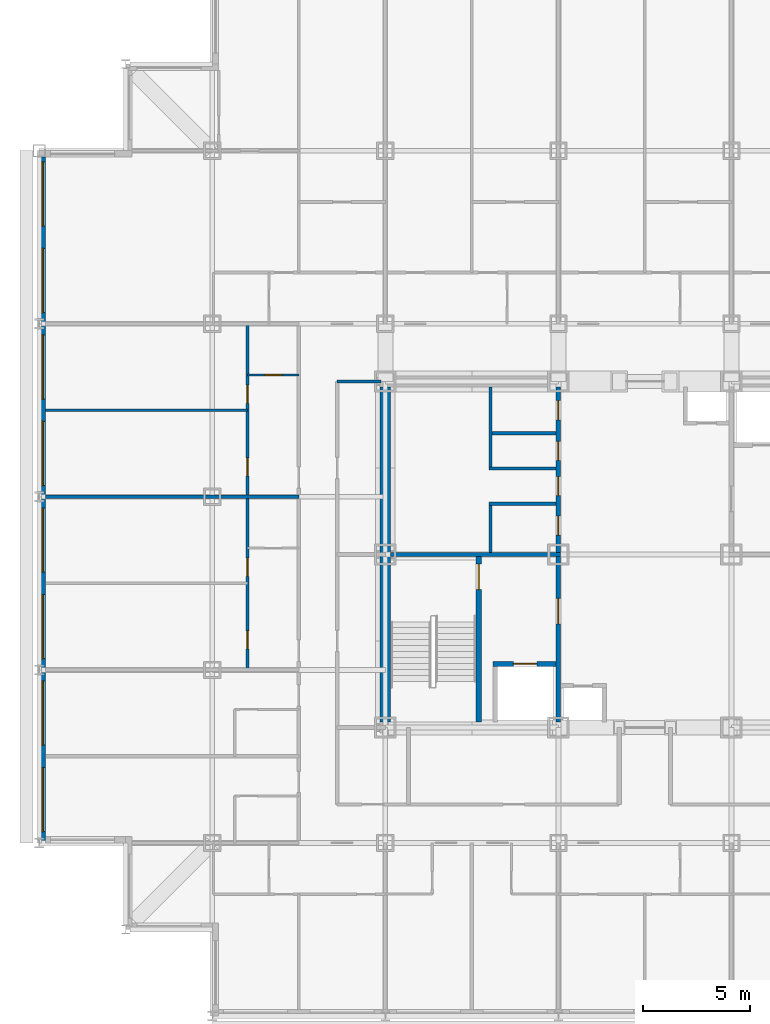
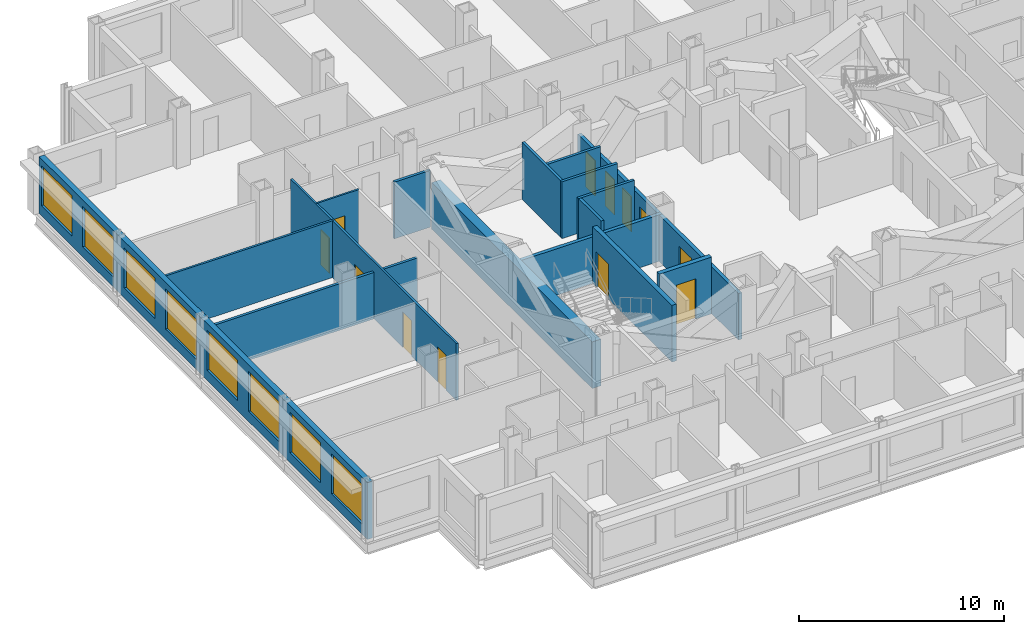
# One storey, part 6 of 12: 17 walls, 12 doors, 8 windows, 20 openings.
"""IFC4 building model written with IfcOpenShell, lengths in metres."""

from ifc_helpers import new_model, si_unit, direction, frame, frame_2d, origin, place, context, subcontext, project, spatial, rectangle, extrude, material, layer, layer_set, type_object, element, fill, save


model = new_model("IFC4")

# Units and contexts
model_context = context("Model", 3, precision=1e-05, world=origin(), true_north=direction((0.0, 1.0)))
body_context = subcontext(model_context, "Body", "Model", "MODEL_VIEW")
ifc_project = project(units=[si_unit("LENGTHUNIT", "METRE"), si_unit("AREAUNIT", "SQUARE_METRE"), si_unit("VOLUMEUNIT", "CUBIC_METRE"), si_unit("PLANEANGLEUNIT", "RADIAN"), si_unit("MASSUNIT", "GRAM", prefix="KILO")], contexts=[model_context])

# Site, building, storey
site_placement = place(None, origin())
site = spatial("IfcSite", under=ifc_project, at=site_placement, CompositionType="ELEMENT")
building_placement = place(site_placement, origin())
building = spatial("IfcBuilding", under=site, at=building_placement, Name="Kopane Lantern Tower", CompositionType="ELEMENT")
storey_placement = place(building_placement, frame((0.0, 0.0, 174.0)))
storey = spatial("IfcBuildingStorey", under=building, at=storey_placement, Name="L44", CompositionType="ELEMENT", Elevation=174.0)

# Wall, openings, doors
ifc_material_1 = material(Name="Gypsum board on steel studs", Category="steel")
ifc_layer_1 = layer(ifc_material_1, 0.1201171875)
ifc_layer_set_1 = layer_set([ifc_layer_1], Name="APARTMENT INTERNAL WALL 120")
wall_type_1 = type_object("IfcWallType", Name="APARTMENT INTERNAL WALL 120", PredefinedType="PARTITIONING", material=ifc_layer_set_1)
wall_1_placement = place(storey_placement, frame((9.75, 27.0, 0.0), z_axis=(0.0, 0.0, 1.0), x_axis=(0.0, 1.0, 0.0)))
wall_1 = element("IfcWall", 1, at=wall_1_placement, inside=storey, type_object=wall_type_1, Name="Apartment Internal Wall 120 L44", PredefinedType="PARTITIONING", context=body_context, shape_type="SweptSolid", body=[
    extrude(rectangle(XDim=16.199951171875, YDim=0.1201171875, at=frame_2d((8.10009765625, 0.0))), origin(), (0.0, 0.0, 1.0), 3.389892578125),
])
opening_1_placement = place(wall_1_placement, frame((0.97509765625, 0.0, 0.0)))
opening_1 = element("IfcOpeningElement", 2, at=opening_1_placement, cuts=wall_1, Name="Opening L44-038", PredefinedType="OPENING", context=body_context, shape_type="SweptSolid", body=[
    extrude(rectangle(XDim=0.85009765625, YDim=2.10009765625, at=frame_2d((0.425048828125, 1.050048828125))), frame((0.0, 0.070068359375, 0.0), z_axis=(0.0, -1.0, 0.0), x_axis=(1.0, 0.0, 0.0)), (0.0, 0.0, 1.0), 0.14013671875),
])
opening_2_placement = place(wall_1_placement, frame((4.375, 0.0, 0.0)))
opening_2 = element("IfcOpeningElement", 3, at=opening_2_placement, cuts=wall_1, Name="Opening L44-039", PredefinedType="OPENING", context=body_context, shape_type="SweptSolid", body=[
    extrude(rectangle(XDim=0.85009765625, YDim=2.10009765625, at=frame_2d((0.425048828125, 1.050048828125))), frame((0.0, 0.070068359375, 0.0), z_axis=(0.0, -1.0, 0.0), x_axis=(1.0, 0.0, 0.0)), (0.0, 0.0, 1.0), 0.14013671875),
])
opening_3_placement = place(wall_1_placement, frame((9.074951171875, 0.0, 0.0)))
opening_3 = element("IfcOpeningElement", 4, at=opening_3_placement, cuts=wall_1, Name="Opening L44-042", PredefinedType="OPENING", context=body_context, shape_type="SweptSolid", body=[
    extrude(rectangle(XDim=0.85009765625, YDim=2.10009765625, at=frame_2d((0.425048828125, 1.050048828125))), frame((0.0, 0.070068359375, 0.0), z_axis=(0.0, -1.0, 0.0), x_axis=(1.0, 0.0, 0.0)), (0.0, 0.0, 1.0), 0.14013671875),
])
opening_4_placement = place(wall_1_placement, frame((12.47509765625, 0.0, 0.0)))
opening_4 = element("IfcOpeningElement", 5, at=opening_4_placement, cuts=wall_1, Name="Opening L44-043", PredefinedType="OPENING", context=body_context, shape_type="SweptSolid", body=[
    extrude(rectangle(XDim=0.85009765625, YDim=2.10009765625, at=frame_2d((0.425048828125, 1.050048828125))), frame((0.0, 0.070068359375, 0.0), z_axis=(0.0, -1.0, 0.0), x_axis=(1.0, 0.0, 0.0)), (0.0, 0.0, 1.0), 0.14013671875),
])
ifc_material_2 = material(Name="Timber door set", Category="wood")
door_type_1 = type_object("IfcDoorType", Name="DOOR D4 850x2100", OperationType="SINGLE_SWING_LEFT", PredefinedType="DOOR", material=ifc_material_2)
door_1_placement = place(opening_1_placement, origin())
door_1 = element("IfcDoor", 6, at=door_1_placement, inside=storey, type_object=door_type_1, Name="Door L44-038", OperationType="SINGLE_SWING_RIGHT", OverallHeight=2.10009765625, OverallWidth=0.85009765625, PredefinedType="DOOR", context=body_context, shape_type="SweptSolid", body=[
    extrude(rectangle(XDim=0.85009765625, YDim=2.10009765625, at=frame_2d((0.425048828125, 1.050048828125))), frame((0.0, 0.02490234375, 0.0), z_axis=(0.0, -1.0, 0.0), x_axis=(1.0, 0.0, 0.0)), (0.0, 0.0, 1.0), 0.050048828125),
])
fill(opening_1, door_1)
door_2_placement = place(opening_2_placement, origin())
door_2 = element("IfcDoor", 7, at=door_2_placement, inside=storey, type_object=door_type_1, Name="Door L44-039", OperationType="SINGLE_SWING_LEFT", OverallHeight=2.10009765625, OverallWidth=0.85009765625, PredefinedType="DOOR", context=body_context, shape_type="SweptSolid", body=[
    extrude(rectangle(XDim=0.85009765625, YDim=2.10009765625, at=frame_2d((0.425048828125, 1.050048828125))), frame((0.0, 0.02490234375, 0.0), z_axis=(0.0, -1.0, 0.0), x_axis=(1.0, 0.0, 0.0)), (0.0, 0.0, 1.0), 0.050048828125),
])
fill(opening_2, door_2)
door_3_placement = place(opening_3_placement, origin())
door_3 = element("IfcDoor", 8, at=door_3_placement, inside=storey, type_object=door_type_1, Name="Door L44-042", OperationType="SINGLE_SWING_RIGHT", OverallHeight=2.10009765625, OverallWidth=0.85009765625, PredefinedType="DOOR", context=body_context, shape_type="SweptSolid", body=[
    extrude(rectangle(XDim=0.85009765625, YDim=2.10009765625, at=frame_2d((0.425048828125, 1.050048828125))), frame((0.0, 0.02490234375, 0.0), z_axis=(0.0, -1.0, 0.0), x_axis=(1.0, 0.0, 0.0)), (0.0, 0.0, 1.0), 0.050048828125),
])
fill(opening_3, door_3)
door_4_placement = place(opening_4_placement, origin())
door_4 = element("IfcDoor", 9, at=door_4_placement, inside=storey, type_object=door_type_1, Name="Door L44-043", OperationType="SINGLE_SWING_LEFT", OverallHeight=2.10009765625, OverallWidth=0.85009765625, PredefinedType="DOOR", context=body_context, shape_type="SweptSolid", body=[
    extrude(rectangle(XDim=0.85009765625, YDim=2.10009765625, at=frame_2d((0.425048828125, 1.050048828125))), frame((0.0, 0.02490234375, 0.0), z_axis=(0.0, -1.0, 0.0), x_axis=(1.0, 0.0, 0.0)), (0.0, 0.0, 1.0), 0.050048828125),
])
fill(opening_4, door_4)

# Wall
wall_2_placement = place(storey_placement, frame((9.75, 39.14990234375, 0.0), z_axis=(0.0, 0.0, 1.0), x_axis=(-1.0, 0.0, 0.0)))
element("IfcWall", 10, at=wall_2_placement, inside=storey, type_object=wall_type_1, Name="Apartment Internal Wall 120 L44", PredefinedType="PARTITIONING", context=body_context, shape_type="SweptSolid", body=[
    extrude(rectangle(XDim=9.449951171875, YDim=0.1201171875, at=frame_2d((4.72509765625, 0.0))), origin(), (0.0, 0.0, 1.0), 3.389892578125),
])

# Wall, opening, door
ifc_material_3 = material(Name="Moisture-resistant board on steel studs", Category="steel")
ifc_layer_2 = layer(ifc_material_3, 0.10009765625)
ifc_layer_set_2 = layer_set([ifc_layer_2], Name="BATHROOM WALL 100")
wall_type_2 = type_object("IfcWallType", Name="BATHROOM WALL 100", PredefinedType="PARTITIONING", material=ifc_layer_set_2)
wall_3_placement = place(storey_placement, frame((12.14990234375, 40.800048828125, 0.0), z_axis=(0.0, 0.0, 1.0), x_axis=(-1.0, 0.0, 0.0)))
wall_3 = element("IfcWall", 11, at=wall_3_placement, inside=storey, type_object=wall_type_2, Name="Bathroom Wall 100 L44", PredefinedType="PARTITIONING", context=body_context, shape_type="SweptSolid", body=[
    extrude(rectangle(XDim=2.39990234375, YDim=0.10009765625, at=frame_2d((1.199951171875, 0.0))), origin(), (0.0, 0.0, 1.0), 3.389892578125),
])
opening_5_placement = place(wall_3_placement, frame((0.800048828125, 0.0, 0.0)))
opening_5 = element("IfcOpeningElement", 12, at=opening_5_placement, cuts=wall_3, Name="Opening L44-040", PredefinedType="OPENING", context=body_context, shape_type="SweptSolid", body=[
    extrude(rectangle(XDim=0.800048828125, YDim=2.10009765625, at=frame_2d((0.39990234375, 1.050048828125))), frame((0.0, 0.06005859375, 0.0), z_axis=(0.0, -1.0, 0.0), x_axis=(1.0, 0.0, 0.0)), (0.0, 0.0, 1.0), 0.1201171875),
])
ifc_material_4 = material(Name="Timber door set", Category="wood")
door_type_2 = type_object("IfcDoorType", Name="DOOR D2 800x2100", OperationType="SINGLE_SWING_LEFT", PredefinedType="DOOR", material=ifc_material_4)
door_5_placement = place(opening_5_placement, origin())
door_5 = element("IfcDoor", 13, at=door_5_placement, inside=storey, type_object=door_type_2, Name="Door L44-040", OperationType="SINGLE_SWING_RIGHT", OverallHeight=2.10009765625, OverallWidth=0.800048828125, PredefinedType="DOOR", context=body_context, shape_type="SweptSolid", body=[
    extrude(rectangle(XDim=0.800048828125, YDim=2.10009765625, at=frame_2d((0.39990234375, 1.050048828125))), frame((0.0, 0.02490234375, 0.0), z_axis=(0.0, -1.0, 0.0), x_axis=(1.0, 0.0, 0.0)), (0.0, 0.0, 1.0), 0.050048828125),
])
fill(opening_5, door_5)

# Walls
ifc_material_5 = material(Name="Gypsum shaft wall EI 120", Category="gypsum")
ifc_layer_3 = layer(ifc_material_5, 0.5)
ifc_layer_set_3 = layer_set([ifc_layer_3], Name="CORE PERIMETER WALL 500 EI 120")
wall_type_3 = type_object("IfcWallType", Name="CORE PERIMETER WALL 500 EI 120", PredefinedType="SOLIDWALL", material=ifc_layer_set_3)
wall_4_placement = place(storey_placement, frame((16.199951171875, 24.550048828125, 0.0), z_axis=(0.0, 0.0, 1.0), x_axis=(0.0, 1.0, 0.0)))
element("IfcWall", 14, at=wall_4_placement, inside=storey, type_object=wall_type_3, Name="Core shaft wall L44 PW", PredefinedType="SOLIDWALL", context=body_context, shape_type="SweptSolid", body=[
    extrude(rectangle(XDim=15.699951171875, YDim=0.5, at=frame_2d((7.85009765625, 0.0))), origin(), (0.0, 0.0, 1.0), 2.77783203125),
])
ifc_material_6 = material(Name="Gypsum partition EI 60", Category="gypsum")
ifc_layer_4 = layer(ifc_material_6, 0.14990234375)
ifc_layer_set_4 = layer_set([ifc_layer_4], Name="CORE ROOM PARTITION 150 EI 60")
wall_type_4 = type_object("IfcWallType", Name="CORE ROOM PARTITION 150 EI 60", PredefinedType="PARTITIONING", material=ifc_layer_set_4)
for number, where, z_axis, x_axis, name in (
    (15, (21.050048828125, 34.77490234375, 0.0), (0.0, 0.0, 1.0), (1.0, 0.0, 0.0), "Core room partition L44 WW1"),
    (16, (21.050048828125, 36.425048828125, 0.0), (0.0, 0.0, 1.0), (1.0, 0.0, 0.0), "Core room partition L44 WW2"),
):
    element("IfcWall", number, at=place(storey_placement, frame(where, z_axis=z_axis, x_axis=x_axis)), inside=storey, type_object=wall_type_4, Name=name, PredefinedType="PARTITIONING", context=body_context, shape_type="SweptSolid", body=[
        extrude(rectangle(XDim=3.14990234375, YDim=0.14990234375, at=frame_2d((1.574951171875, 0.0))), origin(), (0.0, 0.0, 1.0), 3.389892578125),
    ])
wall_5_placement = place(storey_placement, frame((21.199951171875, 38.074951171875, 0.0), z_axis=(0.0, 0.0, 1.0), x_axis=(1.0, 0.0, 0.0)))
element("IfcWall", 17, at=wall_5_placement, inside=storey, type_object=wall_type_4, Name="Core room partition L44 WW3", PredefinedType="PARTITIONING", context=body_context, shape_type="SweptSolid", body=[
    extrude(rectangle(XDim=3.0, YDim=0.14990234375, at=frame_2d((1.5, 0.0))), origin(), (0.0, 0.0, 1.0), 3.389892578125),
])
wall_6_placement = place(storey_placement, frame((21.125, 32.5, 0.0), z_axis=(0.0, 0.0, 1.0), x_axis=(0.0, 1.0, 0.0)))
element("IfcWall", 18, at=wall_6_placement, inside=storey, type_object=wall_type_4, Name="Core room partition L44 WWB0", PredefinedType="PARTITIONING", context=body_context, shape_type="SweptSolid", body=[
    extrude(rectangle(XDim=2.199951171875, YDim=0.14990234375, at=frame_2d((1.10009765625, 0.0))), origin(), (0.0, 0.0, 1.0), 3.389892578125),
])
wall_7_placement = place(storey_placement, frame((21.125, 36.5, 0.0), z_axis=(0.0, 0.0, 1.0), x_axis=(0.0, 1.0, 0.0)))
element("IfcWall", 19, at=wall_7_placement, inside=storey, type_object=wall_type_4, Name="Core room partition L44 WWB1", PredefinedType="PARTITIONING", context=body_context, shape_type="SweptSolid", body=[
    extrude(rectangle(XDim=3.75, YDim=0.14990234375, at=frame_2d((1.875, 0.0))), origin(), (0.0, 0.0, 1.0), 3.389892578125),
])

# Wall, openings, doors
ifc_material_7 = material(Name="Gypsum partition EI 60", Category="gypsum")
ifc_layer_5 = layer(ifc_material_7, 0.199951171875)
ifc_layer_set_5 = layer_set([ifc_layer_5], Name="CORE ROOM WALL 200 EI 60")
wall_type_5 = type_object("IfcWallType", Name="CORE ROOM WALL 200 EI 60", PredefinedType="PARTITIONING", material=ifc_layer_set_5)
wall_8_placement = place(storey_placement, frame((24.300048828125, 32.5, 0.0), z_axis=(0.0, 0.0, 1.0), x_axis=(0.0, 1.0, 0.0)))
wall_8 = element("IfcWall", 20, at=wall_8_placement, inside=storey, type_object=wall_type_5, Name="Core room wall L44 XW", PredefinedType="PARTITIONING", context=body_context, shape_type="SweptSolid", body=[
    extrude(rectangle(XDim=7.75, YDim=0.199951171875, at=frame_2d((3.875, 0.0))), origin(), (0.0, 0.0, 1.0), 2.77783203125),
])
opening_6_placement = place(wall_8_placement, frame((0.800048828125, 0.0, 0.0)))
opening_6 = element("IfcOpeningElement", 21, at=opening_6_placement, cuts=wall_8, Name="Opening 44.C30", PredefinedType="OPENING", context=body_context, shape_type="SweptSolid", body=[
    extrude(rectangle(XDim=0.89990234375, YDim=2.10009765625, at=frame_2d((0.449951171875, 1.050048828125))), frame((0.0, 0.10986328125, 0.0), z_axis=(0.0, -1.0, 0.0), x_axis=(1.0, 0.0, 0.0)), (0.0, 0.0, 1.0), 0.219970703125),
])
opening_7_placement = place(wall_8_placement, frame((2.64990234375, 0.0, 0.0)))
opening_7 = element("IfcOpeningElement", 22, at=opening_7_placement, cuts=wall_8, Name="Opening 44.C31", PredefinedType="OPENING", context=body_context, shape_type="SweptSolid", body=[
    extrude(rectangle(XDim=0.89990234375, YDim=2.10009765625, at=frame_2d((0.449951171875, 1.050048828125))), frame((0.0, 0.10986328125, 0.0), z_axis=(0.0, -1.0, 0.0), x_axis=(1.0, 0.0, 0.0)), (0.0, 0.0, 1.0), 0.219970703125),
])
opening_8_placement = place(wall_8_placement, frame((4.300048828125, 0.0, 0.0)))
opening_8 = element("IfcOpeningElement", 23, at=opening_8_placement, cuts=wall_8, Name="Opening 44.C32", PredefinedType="OPENING", context=body_context, shape_type="SweptSolid", body=[
    extrude(rectangle(XDim=0.89990234375, YDim=2.10009765625, at=frame_2d((0.449951171875, 1.050048828125))), frame((0.0, 0.10986328125, 0.0), z_axis=(0.0, -1.0, 0.0), x_axis=(1.0, 0.0, 0.0)), (0.0, 0.0, 1.0), 0.219970703125),
])
opening_9_placement = place(wall_8_placement, frame((6.199951171875, 0.0, 0.0)))
opening_9 = element("IfcOpeningElement", 24, at=opening_9_placement, cuts=wall_8, Name="Opening 44.C33", PredefinedType="OPENING", context=body_context, shape_type="SweptSolid", body=[
    extrude(rectangle(XDim=0.89990234375, YDim=2.10009765625, at=frame_2d((0.449951171875, 1.050048828125))), frame((0.0, 0.10986328125, 0.0), z_axis=(0.0, -1.0, 0.0), x_axis=(1.0, 0.0, 0.0)), (0.0, 0.0, 1.0), 0.219970703125),
])
ifc_material_8 = material(Name="Steel door set", Category="steel")
door_type_3 = type_object("IfcDoorType", Name="CORE ROOM DOOR 900x2100 FD60", OperationType="SINGLE_SWING_LEFT", PredefinedType="DOOR", material=ifc_material_8)
door_6_placement = place(opening_6_placement, origin())
door_6 = element("IfcDoor", 25, at=door_6_placement, inside=storey, type_object=door_type_3, Name="Door Refuse room L44", OperationType="SINGLE_SWING_RIGHT", OverallHeight=2.10009765625, OverallWidth=0.89990234375, PredefinedType="DOOR", context=body_context, shape_type="SweptSolid", body=[
    extrude(rectangle(XDim=0.89990234375, YDim=2.10009765625, at=frame_2d((0.449951171875, 1.050048828125))), frame((0.0, 0.02490234375, 0.0), z_axis=(0.0, -1.0, 0.0), x_axis=(1.0, 0.0, 0.0)), (0.0, 0.0, 1.0), 0.050048828125),
])
fill(opening_6, door_6)
door_7_placement = place(opening_7_placement, origin())
door_7 = element("IfcDoor", 26, at=door_7_placement, inside=storey, type_object=door_type_3, Name="Door Residents storage L44", OperationType="SINGLE_SWING_RIGHT", OverallHeight=2.10009765625, OverallWidth=0.89990234375, PredefinedType="DOOR", context=body_context, shape_type="SweptSolid", body=[
    extrude(rectangle(XDim=0.89990234375, YDim=2.10009765625, at=frame_2d((0.449951171875, 1.050048828125))), frame((0.0, 0.02490234375, 0.0), z_axis=(0.0, -1.0, 0.0), x_axis=(1.0, 0.0, 0.0)), (0.0, 0.0, 1.0), 0.050048828125),
])
fill(opening_7, door_7)
door_8_placement = place(opening_8_placement, origin())
door_8 = element("IfcDoor", 27, at=door_8_placement, inside=storey, type_object=door_type_3, Name="Door Cleaner store L44", OperationType="SINGLE_SWING_LEFT", OverallHeight=2.10009765625, OverallWidth=0.89990234375, PredefinedType="DOOR", context=body_context, shape_type="SweptSolid", body=[
    extrude(rectangle(XDim=0.89990234375, YDim=2.10009765625, at=frame_2d((0.449951171875, 1.050048828125))), frame((0.0, 0.02490234375, 0.0), z_axis=(0.0, -1.0, 0.0), x_axis=(1.0, 0.0, 0.0)), (0.0, 0.0, 1.0), 0.050048828125),
])
fill(opening_8, door_8)
door_9_placement = place(opening_9_placement, origin())
door_9 = element("IfcDoor", 28, at=door_9_placement, inside=storey, type_object=door_type_3, Name="Door IT room L44", OperationType="SINGLE_SWING_LEFT", OverallHeight=2.10009765625, OverallWidth=0.89990234375, PredefinedType="DOOR", context=body_context, shape_type="SweptSolid", body=[
    extrude(rectangle(XDim=0.89990234375, YDim=2.10009765625, at=frame_2d((0.449951171875, 1.050048828125))), frame((0.0, 0.02490234375, 0.0), z_axis=(0.0, -1.0, 0.0), x_axis=(1.0, 0.0, 0.0)), (0.0, 0.0, 1.0), 0.050048828125),
])
fill(opening_9, door_9)

# Wall, opening, door
ifc_material_9 = material(Name="Gypsum shaft wall EI 120", Category="gypsum")
ifc_layer_6 = layer(ifc_material_9, 0.25)
ifc_layer_set_6 = layer_set([ifc_layer_6], Name="CORE SHAFT WALL 250 EI 120")
wall_type_6 = type_object("IfcWallType", Name="CORE SHAFT WALL 250 EI 120", PredefinedType="SOLIDWALL", material=ifc_layer_set_6)
wall_9_placement = place(storey_placement, frame((20.574951171875, 24.550048828125, 0.0), z_axis=(0.0, 0.0, 1.0), x_axis=(0.0, 1.0, 0.0)))
wall_9 = element("IfcWall", 29, at=wall_9_placement, inside=storey, type_object=wall_type_6, Name="Core shaft wall L44 XST1", PredefinedType="SOLIDWALL", context=body_context, shape_type="SweptSolid", body=[
    extrude(rectangle(XDim=7.75, YDim=0.25, at=frame_2d((3.875, 0.0))), origin(), (0.0, 0.0, 1.0), 3.389892578125),
])
opening_10_placement = place(wall_9_placement, frame((6.199951171875, 0.0, 0.0)))
opening_10 = element("IfcOpeningElement", 30, at=opening_10_placement, cuts=wall_9, Name="Opening 44.SD1", PredefinedType="OPENING", context=body_context, shape_type="SweptSolid", body=[
    extrude(rectangle(XDim=1.199951171875, YDim=2.10009765625, at=frame_2d((0.60009765625, 1.050048828125))), frame((0.0, 0.135009765625, 0.0), z_axis=(0.0, -1.0, 0.0), x_axis=(1.0, 0.0, 0.0)), (0.0, 0.0, 1.0), 0.27001953125),
])
ifc_material_10 = material(Name="Steel door set", Category="steel")
door_type_4 = type_object("IfcDoorType", Name="STAIR DOOR 1200x2100 FD60S", OperationType="SINGLE_SWING_LEFT", PredefinedType="DOOR", material=ifc_material_10)
door_10_placement = place(opening_10_placement, origin())
door_10 = element("IfcDoor", 31, at=door_10_placement, inside=storey, type_object=door_type_4, Name="Stair door ST1 L44", OperationType="SINGLE_SWING_LEFT", OverallHeight=2.10009765625, OverallWidth=1.199951171875, PredefinedType="DOOR", context=body_context, shape_type="SweptSolid", body=[
    extrude(rectangle(XDim=1.199951171875, YDim=2.10009765625, at=frame_2d((0.60009765625, 1.050048828125))), frame((0.0, 0.02490234375, 0.0), z_axis=(0.0, -1.0, 0.0), x_axis=(1.0, 0.0, 0.0)), (0.0, 0.0, 1.0), 0.050048828125),
])
fill(opening_10, door_10)

wall_10_placement = place(storey_placement, frame((21.25, 27.27490234375, 0.0), z_axis=(0.0, 0.0, 1.0), x_axis=(1.0, 0.0, 0.0)))
wall_10 = element("IfcWall", 32, at=wall_10_placement, inside=storey, type_object=wall_type_6, Name="Core shaft wall L44 YLF1", PredefinedType="SOLIDWALL", context=body_context, shape_type="SweptSolid", body=[
    extrude(rectangle(XDim=2.949951171875, YDim=0.25, at=frame_2d((1.47509765625, 0.0))), origin(), (0.0, 0.0, 1.0), 3.389892578125),
])
opening_11_placement = place(wall_10_placement, frame((0.949951171875, 0.0, 0.0)))
opening_11 = element("IfcOpeningElement", 33, at=opening_11_placement, cuts=wall_10, Name="Opening 44.LD-LF1", PredefinedType="OPENING", context=body_context, shape_type="SweptSolid", body=[
    extrude(rectangle(XDim=1.10009765625, YDim=2.39990234375, at=frame_2d((0.550048828125, 1.199951171875))), frame((0.0, 0.135009765625, 0.0), z_axis=(0.0, -1.0, 0.0), x_axis=(1.0, 0.0, 0.0)), (0.0, 0.0, 1.0), 0.27001953125),
])
ifc_material_11 = material(Name="Steel door set", Category="steel")
door_type_5 = type_object("IfcDoorType", Name="LIFT LANDING DOOR 1100x2400 FD60", OperationType="DOUBLE_DOOR_SLIDING", PredefinedType="DOOR", material=ifc_material_11)
door_11_placement = place(opening_11_placement, origin())
door_11 = element("IfcDoor", 34, at=door_11_placement, inside=storey, type_object=door_type_5, Name="Landing door LF1 L44", OperationType="DOUBLE_DOOR_SLIDING", OverallHeight=2.39990234375, OverallWidth=1.10009765625, PredefinedType="DOOR", context=body_context, shape_type="SweptSolid", body=[
    extrude(rectangle(XDim=1.10009765625, YDim=2.39990234375, at=frame_2d((0.550048828125, 1.199951171875))), frame((0.0, 0.02490234375, 0.0), z_axis=(0.0, -1.0, 0.0), x_axis=(1.0, 0.0, 0.0)), (0.0, 0.0, 1.0), 0.050048828125),
])
fill(opening_11, door_11)

# Walls
ifc_material_12 = material(Name="Gypsum board on steel studs", Category="steel")
ifc_layer_7 = layer(ifc_material_12, 0.14990234375)
ifc_layer_set_7 = layer_set([ifc_layer_7], Name="CORRIDOR WALL 150 EI 60")
wall_type_7 = type_object("IfcWallType", Name="CORRIDOR WALL 150 EI 60", PredefinedType="PARTITIONING", material=ifc_layer_set_7)
wall_11_placement = place(storey_placement, frame((16.0, 40.5, 0.0), z_axis=(0.0, 0.0, 1.0), x_axis=(-1.0, 0.0, 0.0)))
element("IfcWall", 35, at=wall_11_placement, inside=storey, type_object=wall_type_7, Name="Corridor Wall 150 Ei 60 L44", PredefinedType="PARTITIONING", context=body_context, shape_type="SweptSolid", body=[
    extrude(rectangle(XDim=2.050048828125, YDim=0.14990234375, at=frame_2d((1.02490234375, 0.0))), origin(), (0.0, 0.0, 1.0), 3.389892578125),
])
ifc_material_13 = material(Name="Gypsum board on steel studs", Category="steel")
ifc_layer_8 = layer(ifc_material_13, 0.14990234375)
ifc_layer_set_8 = layer_set([ifc_layer_8], Name="DEMISING WALL 150 EI 60")
wall_type_8 = type_object("IfcWallType", Name="DEMISING WALL 150 EI 60", PredefinedType="PARTITIONING", material=ifc_layer_set_8)
wall_12_placement = place(storey_placement, frame((12.14990234375, 35.10009765625, 0.0), z_axis=(0.0, 0.0, 1.0), x_axis=(-1.0, 0.0, 0.0)))
element("IfcWall", 36, at=wall_12_placement, inside=storey, type_object=wall_type_8, Name="Demising Wall 150 Ei 60 L44", PredefinedType="PARTITIONING", context=body_context, shape_type="SweptSolid", body=[
    extrude(rectangle(XDim=11.849853515625, YDim=0.14990234375, at=frame_2d((5.9248046875, 0.0))), origin(), (0.0, 0.0, 1.0), 2.77783203125),
])

# Wall, openings, windows
ifc_material_14 = material(Name="Terracotta rainscreen on light steel framing", Category="masonry")
ifc_layer_9 = layer(ifc_material_14, 0.300048828125)
ifc_layer_set_9 = layer_set([ifc_layer_9], Name="EXTERNAL WALL EW1 300 TERRACOTTA")
wall_type_9 = type_object("IfcWallType", Name="EXTERNAL WALL EW1 300 TERRACOTTA", PredefinedType="SOLIDWALL", material=ifc_layer_set_9)
wall_13_placement = place(storey_placement, frame((0.14990234375, 51.0, 0.0), z_axis=(0.0, 0.0, 1.0), x_axis=(0.0, -1.0, 0.0)))
wall_13 = element("IfcWall", 37, at=wall_13_placement, inside=storey, type_object=wall_type_9, Name="External wall W L44", PredefinedType="SOLIDWALL", context=body_context, shape_type="SweptSolid", body=[
    extrude(rectangle(XDim=32.10009765625, YDim=0.300048828125, at=frame_2d((16.050048828125, 0.0))), origin(), (0.0, 0.0, 1.0), 3.389892578125),
])
opening_12_placement = place(wall_13_placement, frame((0.22509765625, 0.0, 0.60009765625)))
opening_12 = element("IfcOpeningElement", 38, at=opening_12_placement, cuts=wall_13, Name="Opening WR300240", PredefinedType="OPENING", context=body_context, shape_type="SweptSolid", body=[
    extrude(rectangle(XDim=3.0, YDim=2.39990234375, at=frame_2d((1.5, 1.199951171875))), frame((0.0, 0.159912109375, 0.0), z_axis=(0.0, -1.0, 0.0), x_axis=(1.0, 0.0, 0.0)), (0.0, 0.0, 1.0), 0.320068359375),
])
opening_13_placement = place(wall_13_placement, frame((4.27490234375, 0.0, 0.60009765625)))
opening_13 = element("IfcOpeningElement", 39, at=opening_13_placement, cuts=wall_13, Name="Opening WR300240", PredefinedType="OPENING", context=body_context, shape_type="SweptSolid", body=[
    extrude(rectangle(XDim=3.0, YDim=2.39990234375, at=frame_2d((1.5, 1.199951171875))), frame((0.0, 0.159912109375, 0.0), z_axis=(0.0, -1.0, 0.0), x_axis=(1.0, 0.0, 0.0)), (0.0, 0.0, 1.0), 0.320068359375),
])
opening_14_placement = place(wall_13_placement, frame((8.324951171875, 0.0, 0.60009765625)))
opening_14 = element("IfcOpeningElement", 40, at=opening_14_placement, cuts=wall_13, Name="Opening WR300240", PredefinedType="OPENING", context=body_context, shape_type="SweptSolid", body=[
    extrude(rectangle(XDim=3.0, YDim=2.39990234375, at=frame_2d((1.5, 1.199951171875))), frame((0.0, 0.159912109375, 0.0), z_axis=(0.0, -1.0, 0.0), x_axis=(1.0, 0.0, 0.0)), (0.0, 0.0, 1.0), 0.320068359375),
])
opening_15_placement = place(wall_13_placement, frame((12.375, 0.0, 0.60009765625)))
opening_15 = element("IfcOpeningElement", 41, at=opening_15_placement, cuts=wall_13, Name="Opening WR300240", PredefinedType="OPENING", context=body_context, shape_type="SweptSolid", body=[
    extrude(rectangle(XDim=3.0, YDim=2.39990234375, at=frame_2d((1.5, 1.199951171875))), frame((0.0, 0.159912109375, 0.0), z_axis=(0.0, -1.0, 0.0), x_axis=(1.0, 0.0, 0.0)), (0.0, 0.0, 1.0), 0.320068359375),
])
opening_16_placement = place(wall_13_placement, frame((16.425048828125, 0.0, 0.60009765625)))
opening_16 = element("IfcOpeningElement", 42, at=opening_16_placement, cuts=wall_13, Name="Opening WR300240", PredefinedType="OPENING", context=body_context, shape_type="SweptSolid", body=[
    extrude(rectangle(XDim=3.0, YDim=2.39990234375, at=frame_2d((1.5, 1.199951171875))), frame((0.0, 0.159912109375, 0.0), z_axis=(0.0, -1.0, 0.0), x_axis=(1.0, 0.0, 0.0)), (0.0, 0.0, 1.0), 0.320068359375),
])
opening_17_placement = place(wall_13_placement, frame((20.47509765625, 0.0, 0.60009765625)))
opening_17 = element("IfcOpeningElement", 43, at=opening_17_placement, cuts=wall_13, Name="Opening WR300240", PredefinedType="OPENING", context=body_context, shape_type="SweptSolid", body=[
    extrude(rectangle(XDim=3.0, YDim=2.39990234375, at=frame_2d((1.5, 1.199951171875))), frame((0.0, 0.159912109375, 0.0), z_axis=(0.0, -1.0, 0.0), x_axis=(1.0, 0.0, 0.0)), (0.0, 0.0, 1.0), 0.320068359375),
])
opening_18_placement = place(wall_13_placement, frame((24.52490234375, 0.0, 0.60009765625)))
opening_18 = element("IfcOpeningElement", 44, at=opening_18_placement, cuts=wall_13, Name="Opening WR300240", PredefinedType="OPENING", context=body_context, shape_type="SweptSolid", body=[
    extrude(rectangle(XDim=3.0, YDim=2.39990234375, at=frame_2d((1.5, 1.199951171875))), frame((0.0, 0.159912109375, 0.0), z_axis=(0.0, -1.0, 0.0), x_axis=(1.0, 0.0, 0.0)), (0.0, 0.0, 1.0), 0.320068359375),
])
opening_19_placement = place(wall_13_placement, frame((28.574951171875, 0.0, 0.60009765625)))
opening_19 = element("IfcOpeningElement", 45, at=opening_19_placement, cuts=wall_13, Name="Opening WR300240", PredefinedType="OPENING", context=body_context, shape_type="SweptSolid", body=[
    extrude(rectangle(XDim=3.0, YDim=2.39990234375, at=frame_2d((1.5, 1.199951171875))), frame((0.0, 0.159912109375, 0.0), z_axis=(0.0, -1.0, 0.0), x_axis=(1.0, 0.0, 0.0)), (0.0, 0.0, 1.0), 0.320068359375),
])
ifc_material_15 = material(Name="Aluminium and clear glass", Category="aluminium")
window_type = type_object("IfcWindowType", Name="RIBBON WINDOW WR300240 3000x2400", PartitioningType="SINGLE_PANEL", PredefinedType="WINDOW", material=ifc_material_15)
window_1_placement = place(opening_12_placement, origin())
window_1 = element("IfcWindow", 46, at=window_1_placement, inside=storey, type_object=window_type, Name="Window W L44", OverallHeight=2.39990234375, OverallWidth=3.0, PartitioningType="SINGLE_PANEL", PredefinedType="WINDOW", context=body_context, shape_type="SweptSolid", body=[
    extrude(rectangle(XDim=3.0, YDim=2.39990234375, at=frame_2d((1.5, 1.199951171875))), frame((0.0, 0.030029296875, 0.0), z_axis=(0.0, -1.0, 0.0), x_axis=(1.0, 0.0, 0.0)), (0.0, 0.0, 1.0), 0.06005859375),
])
fill(opening_12, window_1)
window_2_placement = place(opening_13_placement, origin())
window_2 = element("IfcWindow", 47, at=window_2_placement, inside=storey, type_object=window_type, Name="Window W L44", OverallHeight=2.39990234375, OverallWidth=3.0, PartitioningType="SINGLE_PANEL", PredefinedType="WINDOW", context=body_context, shape_type="SweptSolid", body=[
    extrude(rectangle(XDim=3.0, YDim=2.39990234375, at=frame_2d((1.5, 1.199951171875))), frame((0.0, 0.030029296875, 0.0), z_axis=(0.0, -1.0, 0.0), x_axis=(1.0, 0.0, 0.0)), (0.0, 0.0, 1.0), 0.06005859375),
])
fill(opening_13, window_2)
window_3_placement = place(opening_14_placement, origin())
window_3 = element("IfcWindow", 48, at=window_3_placement, inside=storey, type_object=window_type, Name="Window W L44", OverallHeight=2.39990234375, OverallWidth=3.0, PartitioningType="SINGLE_PANEL", PredefinedType="WINDOW", context=body_context, shape_type="SweptSolid", body=[
    extrude(rectangle(XDim=3.0, YDim=2.39990234375, at=frame_2d((1.5, 1.199951171875))), frame((0.0, 0.030029296875, 0.0), z_axis=(0.0, -1.0, 0.0), x_axis=(1.0, 0.0, 0.0)), (0.0, 0.0, 1.0), 0.06005859375),
])
fill(opening_14, window_3)
window_4_placement = place(opening_15_placement, origin())
window_4 = element("IfcWindow", 49, at=window_4_placement, inside=storey, type_object=window_type, Name="Window W L44", OverallHeight=2.39990234375, OverallWidth=3.0, PartitioningType="SINGLE_PANEL", PredefinedType="WINDOW", context=body_context, shape_type="SweptSolid", body=[
    extrude(rectangle(XDim=3.0, YDim=2.39990234375, at=frame_2d((1.5, 1.199951171875))), frame((0.0, 0.030029296875, 0.0), z_axis=(0.0, -1.0, 0.0), x_axis=(1.0, 0.0, 0.0)), (0.0, 0.0, 1.0), 0.06005859375),
])
fill(opening_15, window_4)
window_5_placement = place(opening_16_placement, origin())
window_5 = element("IfcWindow", 50, at=window_5_placement, inside=storey, type_object=window_type, Name="Window W L44", OverallHeight=2.39990234375, OverallWidth=3.0, PartitioningType="SINGLE_PANEL", PredefinedType="WINDOW", context=body_context, shape_type="SweptSolid", body=[
    extrude(rectangle(XDim=3.0, YDim=2.39990234375, at=frame_2d((1.5, 1.199951171875))), frame((0.0, 0.030029296875, 0.0), z_axis=(0.0, -1.0, 0.0), x_axis=(1.0, 0.0, 0.0)), (0.0, 0.0, 1.0), 0.06005859375),
])
fill(opening_16, window_5)
window_6_placement = place(opening_17_placement, origin())
window_6 = element("IfcWindow", 51, at=window_6_placement, inside=storey, type_object=window_type, Name="Window W L44", OverallHeight=2.39990234375, OverallWidth=3.0, PartitioningType="SINGLE_PANEL", PredefinedType="WINDOW", context=body_context, shape_type="SweptSolid", body=[
    extrude(rectangle(XDim=3.0, YDim=2.39990234375, at=frame_2d((1.5, 1.199951171875))), frame((0.0, 0.030029296875, 0.0), z_axis=(0.0, -1.0, 0.0), x_axis=(1.0, 0.0, 0.0)), (0.0, 0.0, 1.0), 0.06005859375),
])
fill(opening_17, window_6)
window_7_placement = place(opening_18_placement, origin())
window_7 = element("IfcWindow", 52, at=window_7_placement, inside=storey, type_object=window_type, Name="Window W L44", OverallHeight=2.39990234375, OverallWidth=3.0, PartitioningType="SINGLE_PANEL", PredefinedType="WINDOW", context=body_context, shape_type="SweptSolid", body=[
    extrude(rectangle(XDim=3.0, YDim=2.39990234375, at=frame_2d((1.5, 1.199951171875))), frame((0.0, 0.030029296875, 0.0), z_axis=(0.0, -1.0, 0.0), x_axis=(1.0, 0.0, 0.0)), (0.0, 0.0, 1.0), 0.06005859375),
])
fill(opening_18, window_7)
window_8_placement = place(opening_19_placement, origin())
window_8 = element("IfcWindow", 53, at=window_8_placement, inside=storey, type_object=window_type, Name="Window W L44", OverallHeight=2.39990234375, OverallWidth=3.0, PartitioningType="SINGLE_PANEL", PredefinedType="WINDOW", context=body_context, shape_type="SweptSolid", body=[
    extrude(rectangle(XDim=3.0, YDim=2.39990234375, at=frame_2d((1.5, 1.199951171875))), frame((0.0, 0.030029296875, 0.0), z_axis=(0.0, -1.0, 0.0), x_axis=(1.0, 0.0, 0.0)), (0.0, 0.0, 1.0), 0.06005859375),
])
fill(opening_19, window_8)

# Wall
ifc_material_16 = material(Name="Gypsum shaft wall EI 120", Category="gypsum")
ifc_layer_10 = layer(ifc_material_16, 0.199951171875)
ifc_layer_set_10 = layer_set([ifc_layer_10], Name="SHAFT WALL 200 EI 120")
wall_type_10 = type_object("IfcWallType", Name="SHAFT WALL 200 EI 120", PredefinedType="SOLIDWALL", material=ifc_layer_set_10)
wall_14_placement = place(storey_placement, frame((16.449951171875, 32.39990234375, 0.0), z_axis=(0.0, 0.0, 1.0), x_axis=(1.0, 0.0, 0.0)))
element("IfcWall", 54, at=wall_14_placement, inside=storey, type_object=wall_type_10, Name="Core shaft wall L44 Y324W", PredefinedType="SOLIDWALL", context=body_context, shape_type="SweptSolid", body=[
    extrude(rectangle(XDim=7.949951171875, YDim=0.199951171875, at=frame_2d((3.97509765625, 0.0))), origin(), (0.0, 0.0, 1.0), 2.77783203125),
])

# Wall, opening, door
wall_15_placement = place(storey_placement, frame((24.300048828125, 24.550048828125, 0.0), z_axis=(0.0, 0.0, 1.0), x_axis=(0.0, 1.0, 0.0)))
wall_15 = element("IfcWall", 55, at=wall_15_placement, inside=storey, type_object=wall_type_10, Name="Core shaft wall L44 X243", PredefinedType="SOLIDWALL", context=body_context, shape_type="SweptSolid", body=[
    extrude(rectangle(XDim=7.75, YDim=0.199951171875, at=frame_2d((3.875, 0.0))), origin(), (0.0, 0.0, 1.0), 2.77783203125),
])
opening_20_placement = place(wall_15_placement, frame((4.60009765625, 0.0, 0.0)))
opening_20 = element("IfcOpeningElement", 56, at=opening_20_placement, cuts=wall_15, Name="Opening 44.FL1", PredefinedType="OPENING", context=body_context, shape_type="SweptSolid", body=[
    extrude(rectangle(XDim=1.199951171875, YDim=2.10009765625, at=frame_2d((0.60009765625, 1.050048828125))), frame((0.0, 0.10986328125, 0.0), z_axis=(0.0, -1.0, 0.0), x_axis=(1.0, 0.0, 0.0)), (0.0, 0.0, 1.0), 0.219970703125),
])
ifc_material_17 = material(Name="Steel door set", Category="steel")
door_type_6 = type_object("IfcDoorType", Name="FIREFIGHTING LOBBY DOOR 1200x2100 FD60S", OperationType="SINGLE_SWING_RIGHT", PredefinedType="DOOR", material=ifc_material_17)
door_12_placement = place(opening_20_placement, origin())
door_12 = element("IfcDoor", 57, at=door_12_placement, inside=storey, type_object=door_type_6, Name="Firefighting lobby door FL1 L44", OperationType="SINGLE_SWING_LEFT", OverallHeight=2.10009765625, OverallWidth=1.199951171875, PredefinedType="DOOR", context=body_context, shape_type="SweptSolid", body=[
    extrude(rectangle(XDim=1.199951171875, YDim=2.10009765625, at=frame_2d((0.60009765625, 1.050048828125))), frame((0.0, 0.02490234375, 0.0), z_axis=(0.0, -1.0, 0.0), x_axis=(1.0, 0.0, 0.0)), (0.0, 0.0, 1.0), 0.050048828125),
])
fill(opening_20, door_12)

save(model, "model.ifc")
